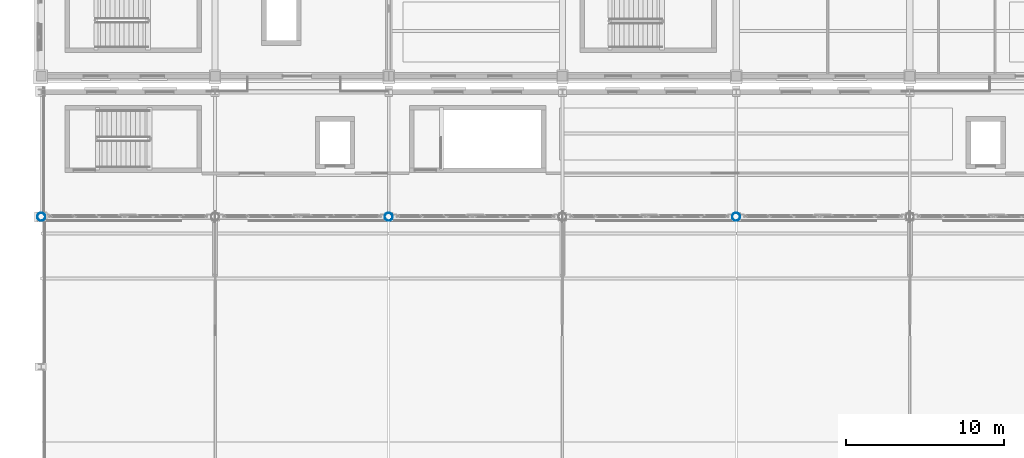
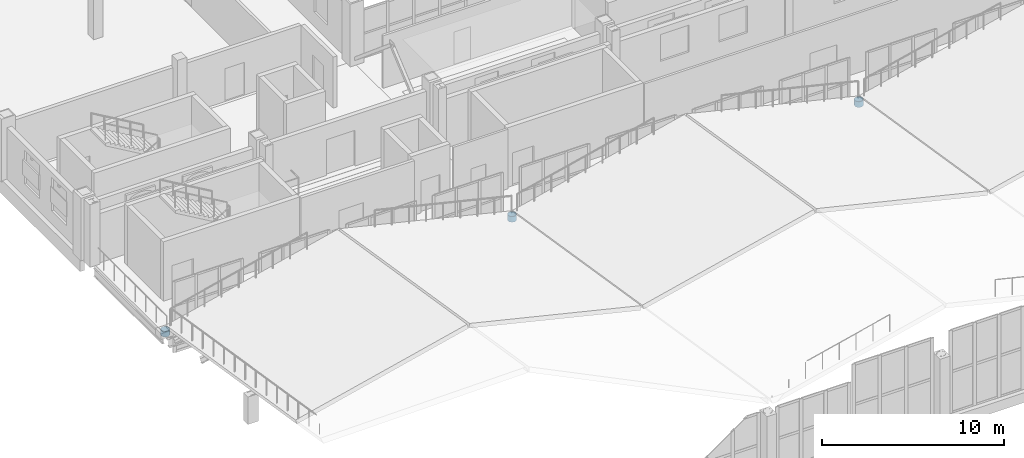
# One storey, part 10 of 120: 3 columns.
"""IFC4 building model written with IfcOpenShell, lengths in metres."""

from ifc_helpers import new_model, si_unit, direction, frame, origin, origin_2d, place, context, subcontext, project, spatial, hollow_circle, extrude, material, material_profile, profile_set, type_object, element, save


model = new_model("IFC4")

# Units and contexts
model_context = context("Model", 3, precision=1e-05, world=origin(), true_north=direction((0.0, 1.0)))
body_context = subcontext(model_context, "Body", "Model", "MODEL_VIEW")
ifc_project = project(units=[si_unit("LENGTHUNIT", "METRE"), si_unit("AREAUNIT", "SQUARE_METRE"), si_unit("VOLUMEUNIT", "CUBIC_METRE"), si_unit("PLANEANGLEUNIT", "RADIAN"), si_unit("MASSUNIT", "GRAM", prefix="KILO")], contexts=[model_context])

# Site, building, storey
site_placement = place(None, origin())
site = spatial("IfcSite", under=ifc_project, at=site_placement, CompositionType="ELEMENT")
building_placement = place(site_placement, origin())
building = spatial("IfcBuilding", under=site, at=building_placement, Name="Caurita Quay Ferry Terminal", CompositionType="ELEMENT")
storey_placement = place(building_placement, frame((0.0, 0.0, 9.89990234375)))
storey = spatial("IfcBuildingStorey", under=building, at=storey_placement, Name="L02", CompositionType="ELEMENT", Elevation=9.89990234375)

# Columns
ifc_material = material(Name="Hollow structural steel ASTM A500 Gr. C", Category="steel")
ifc_material_profile = material_profile(ifc_material, hollow_circle(Radius=0.25390625, WallThickness=0.01171875, at=origin_2d()), Name="HSS20.000X0.500")
ifc_profile_set = profile_set([ifc_material_profile], Name="Hollow structural steel ASTM A500 Gr. C")
column_type = type_object("IfcColumnType", Name="COL-MST-01", PredefinedType="COLUMN", material=ifc_profile_set)
for number, where, z_axis, x_axis, name in (
    (1, (0.0, 62.699951171875, 0.0), (0.0, 0.0, 1.0), (1.0, 0.0, 0.0), "L02 Column V1-MST-01-N"),
    (2, (22.0, 62.699951171875, 0.0), (0.0, 0.0, 1.0), (1.0, 0.0, 0.0), "L02 Column V1-MST-03-N"),
    (3, (44.0, 62.699951171875, 0.0), (0.0, 0.0, 1.0), (1.0, 0.0, 0.0), "L02 Column V1-MST-05-N"),
):
    element("IfcColumn", number, at=place(storey_placement, frame(where, z_axis=z_axis, x_axis=x_axis)), inside=storey, type_object=column_type, Name=name, PredefinedType="COLUMN", context=body_context, shape_type="SweptSolid", body=[
        extrude(hollow_circle(Radius=0.25390625, WallThickness=0.01171875, at=origin_2d()), origin(), (0.0, 0.0, 1.0), 0.380126953125),
    ])

save(model, "model.ifc")
